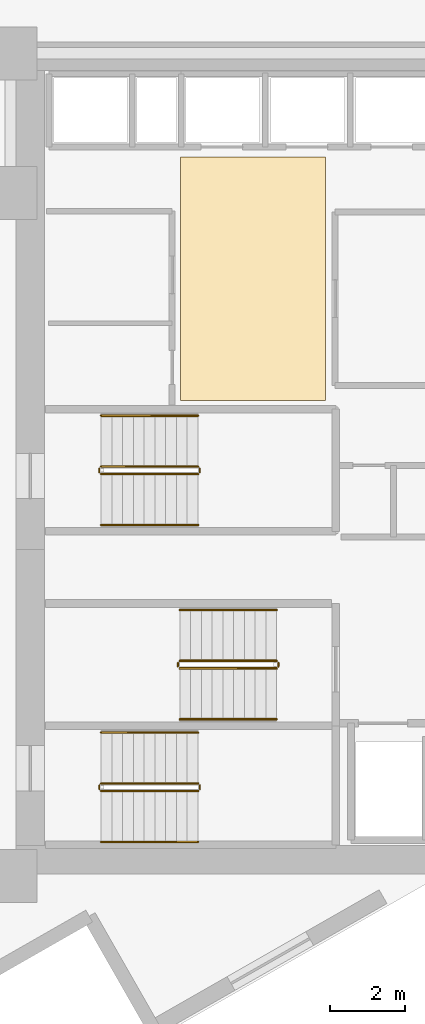
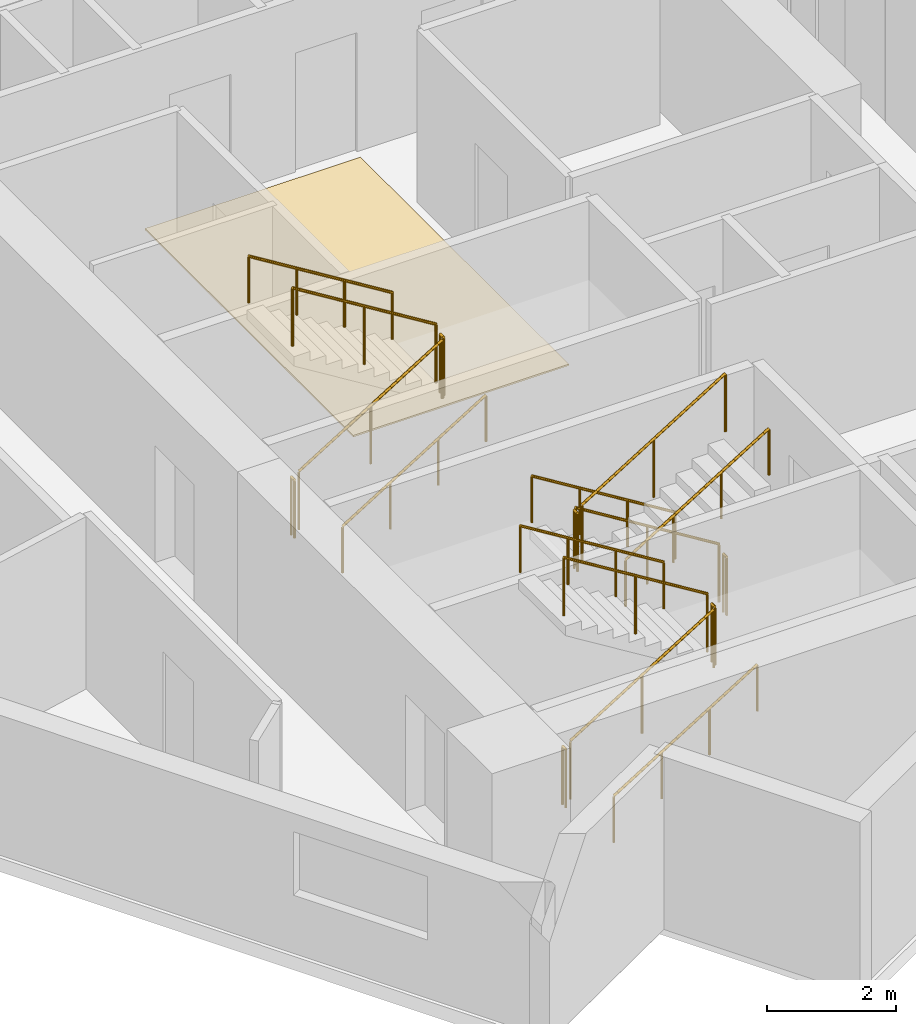
# One storey, part 13 of 14: 18 railings, 1 covering.
"""IFC4 building model written with IfcOpenShell, lengths in metres."""

from ifc_helpers import new_model, si_unit, direction, frame, origin, origin_2d, place, context, subcontext, project, spatial, polyline, circle, outline, extrude, material, layer, layer_set, type_object, element, save


model = new_model("IFC4")

# Units and contexts
model_context = context("Model", 3, precision=1e-05, world=origin(), true_north=direction((0.0, 1.0)))
body_context = subcontext(model_context, "Body", "Model", "MODEL_VIEW")
ifc_project = project(units=[si_unit("LENGTHUNIT", "METRE"), si_unit("AREAUNIT", "SQUARE_METRE"), si_unit("VOLUMEUNIT", "CUBIC_METRE"), si_unit("PLANEANGLEUNIT", "RADIAN"), si_unit("MASSUNIT", "GRAM", prefix="KILO")], contexts=[model_context])

# Site, building, storey
site_placement = place(None, origin())
site = spatial("IfcSite", under=ifc_project, at=site_placement, CompositionType="ELEMENT")
building_placement = place(site_placement, origin())
building = spatial("IfcBuilding", under=site, at=building_placement, Name="Narakoshi Arena Tower", CompositionType="ELEMENT")
storey_placement = place(building_placement, frame((0.0, 0.0, 214.97998046875)))
storey = spatial("IfcBuildingStorey", under=building, at=storey_placement, Name="L58", CompositionType="ELEMENT", Elevation=214.97998046875)

# Covering
ifc_material_1 = material(Name="Honed granite stone paving", Category="masonry")
ifc_layer = layer(ifc_material_1, 0.030029296875)
ifc_layer_set = layer_set([ifc_layer], Name="Honed granite stone paving")
covering_type = type_object("IfcCoveringType", Name="COV-FLR-ST30", PredefinedType="FLOORING", material=ifc_layer_set)
covering_placement = place(storey_placement, origin())
element("IfcCovering", 1, at=covering_placement, inside=storey, type_object=covering_type, Name="L58 Lift Lobby Granite Flooring", PredefinedType="FLOORING", context=body_context, shape_type="SweptSolid", body=[
    extrude(outline(polyline([(76.5, 47.300048828125), (80.35009765625, 47.300048828125), (80.35009765625, 53.75), (76.5, 53.75), (76.5, 47.300048828125)])), origin(), (0.0, 0.0, 1.0), 0.030029296875),
])

# Railings
ifc_material_2 = material(Name="Clear low-iron laminated structural glass", Category="glass")
railing_type_1 = type_object("IfcRailingType", Name="RL-BAL-1100", PredefinedType="BALUSTRADE", material=ifc_material_2)
railing_1_placement = place(storey_placement, frame((74.39990234375, 36.949951171875, 0.176025390625)))
element("IfcRailing", 2, at=railing_1_placement, inside=storey, type_object=railing_type_1, Name="L58 ST1 stair guard 1", PredefinedType="BALUSTRADE", context=body_context, shape_type="SweptSolid", body=[
    extrude(circle(Radius=0.02392578125, at=origin_2d()), frame((0.0, 0.0, 1.09619140625), z_axis=(0.850856559306, 0.0, 0.525398054323), x_axis=(0.0, 1.0, 0.0)), (0.0, 0.0, 1.0), 3.014892578125),
    extrude(circle(Radius=0.02099609375, at=origin_2d()), origin(), (0.0, 0.0, 1.0), 1.072021484375),
    extrude(circle(Radius=0.02099609375, at=origin_2d()), frame((1.28271484375, 0.0, 0.7919921875)), (0.0, 0.0, 1.0), 1.072021484375),
    extrude(circle(Radius=0.02099609375, at=origin_2d()), frame((2.565185546875, 0.0, 1.583984375)), (0.0, 0.0, 1.0), 1.072021484375),
])
railing_2_placement = place(storey_placement, frame((77.014892578125, 37.0, 1.760009765625)))
element("IfcRailing", 3, at=railing_2_placement, inside=storey, type_object=railing_type_1, Name="L58 ST1 stair guard 2", PredefinedType="BALUSTRADE", context=body_context, shape_type="SweptSolid", body=[
    extrude(circle(Radius=0.02392578125, at=origin_2d()), frame((0.0, 0.0, 1.09619140625), z_axis=(0.0, 1.0, 0.0), x_axis=(-1.0, 0.0, 0.0)), (0.0, 0.0, 1.0), 0.10009765625),
    extrude(circle(Radius=0.02099609375, at=origin_2d()), origin(), (0.0, 0.0, 1.0), 1.072021484375),
    extrude(circle(Radius=0.02099609375, at=origin_2d()), frame((0.0, 0.10009765625, 0.0)), (0.0, 0.0, 1.0), 1.072021484375),
])
railing_3_placement = place(storey_placement, frame((76.965087890625, 37.14990234375, 1.93603515625)))
element("IfcRailing", 4, at=railing_3_placement, inside=storey, type_object=railing_type_1, Name="L58 ST1 stair guard 3", PredefinedType="BALUSTRADE", context=body_context, shape_type="SweptSolid", body=[
    extrude(circle(Radius=0.02392578125, at=origin_2d()), frame((0.0, 0.0, 1.09619140625), z_axis=(-0.850856559306, 0.0, 0.525398054323), x_axis=(0.0, -1.0, 0.0)), (0.0, 0.0, 1.0), 3.014892578125),
    extrude(circle(Radius=0.02099609375, at=origin_2d()), origin(), (0.0, 0.0, 1.0), 1.072021484375),
    extrude(circle(Radius=0.02099609375, at=origin_2d()), frame((-1.28271484375, 0.0, 0.7919921875)), (0.0, 0.0, 1.0), 1.072021484375),
    extrude(circle(Radius=0.02099609375, at=origin_2d()), frame((-2.565185546875, 0.0, 1.583984375)), (0.0, 0.0, 1.0), 1.072021484375),
])
railing_4_placement = place(storey_placement, frame((74.35009765625, 37.0, 0.0)))
element("IfcRailing", 5, at=railing_4_placement, inside=storey, type_object=railing_type_1, Name="L58 ST1 stair guard 4", PredefinedType="BALUSTRADE", context=body_context, shape_type="SweptSolid", body=[
    extrude(circle(Radius=0.02392578125, at=origin_2d()), frame((0.0, 0.0, 1.09619140625), z_axis=(0.0, 1.0, 0.0), x_axis=(-1.0, 0.0, 0.0)), (0.0, 0.0, 1.0), 0.10009765625),
    extrude(circle(Radius=0.02099609375, at=origin_2d()), origin(), (0.0, 0.0, 1.0), 1.072021484375),
    extrude(circle(Radius=0.02099609375, at=origin_2d()), frame((0.0, 0.10009765625, 0.0)), (0.0, 0.0, 1.0), 1.072021484375),
])
railing_5_placement = place(storey_placement, frame((79.050048828125, 40.39990234375, 0.176025390625)))
element("IfcRailing", 6, at=railing_5_placement, inside=storey, type_object=railing_type_1, Name="L58 ST2 stair guard 1", PredefinedType="BALUSTRADE", context=body_context, shape_type="SweptSolid", body=[
    extrude(circle(Radius=0.02392578125, at=origin_2d()), frame((0.0, 0.0, 1.09619140625), z_axis=(-0.850834203031, 0.0, 0.525434257497), x_axis=(0.0, -1.0, 0.0)), (0.0, 0.0, 1.0), 3.0146484375),
    extrude(circle(Radius=0.02099609375, at=origin_2d()), origin(), (0.0, 0.0, 1.0), 1.072021484375),
    extrude(circle(Radius=0.02099609375, at=origin_2d()), frame((-1.282470703125, 0.0, 0.7919921875)), (0.0, 0.0, 1.0), 1.072021484375),
    extrude(circle(Radius=0.02099609375, at=origin_2d()), frame((-2.56494140625, 0.0, 1.583984375)), (0.0, 0.0, 1.0), 1.072021484375),
])
railing_6_placement = place(storey_placement, frame((76.43505859375, 40.35009765625, 1.760009765625)))
element("IfcRailing", 7, at=railing_6_placement, inside=storey, type_object=railing_type_1, Name="L58 ST2 stair guard 2", PredefinedType="BALUSTRADE", context=body_context, shape_type="SweptSolid", body=[
    extrude(circle(Radius=0.02392578125, at=origin_2d()), frame((0.0, 0.0, 1.09619140625), z_axis=(0.0, -1.0, 0.0), x_axis=(1.0, 0.0, 0.0)), (0.0, 0.0, 1.0), 0.10009765625),
    extrude(circle(Radius=0.02099609375, at=origin_2d()), origin(), (0.0, 0.0, 1.0), 1.072021484375),
    extrude(circle(Radius=0.02099609375, at=origin_2d()), frame((0.0, -0.10009765625, 0.0)), (0.0, 0.0, 1.0), 1.072021484375),
])
railing_7_placement = place(storey_placement, frame((76.485107421875, 40.199951171875, 1.93603515625)))
element("IfcRailing", 8, at=railing_7_placement, inside=storey, type_object=railing_type_1, Name="L58 ST2 stair guard 3", PredefinedType="BALUSTRADE", context=body_context, shape_type="SweptSolid", body=[
    extrude(circle(Radius=0.02392578125, at=origin_2d()), frame((0.0, 0.0, 1.09619140625), z_axis=(0.850834203031, 0.0, 0.525434257497), x_axis=(0.0, 1.0, 0.0)), (0.0, 0.0, 1.0), 3.0146484375),
    extrude(circle(Radius=0.02099609375, at=origin_2d()), origin(), (0.0, 0.0, 1.0), 1.072021484375),
    extrude(circle(Radius=0.02099609375, at=origin_2d()), frame((1.282470703125, 0.0, 0.7919921875)), (0.0, 0.0, 1.0), 1.072021484375),
    extrude(circle(Radius=0.02099609375, at=origin_2d()), frame((2.56494140625, 0.0, 1.583984375)), (0.0, 0.0, 1.0), 1.072021484375),
])
railing_8_placement = place(storey_placement, frame((79.10009765625, 40.35009765625, 0.0)))
element("IfcRailing", 9, at=railing_8_placement, inside=storey, type_object=railing_type_1, Name="L58 ST2 stair guard 4", PredefinedType="BALUSTRADE", context=body_context, shape_type="SweptSolid", body=[
    extrude(circle(Radius=0.02392578125, at=origin_2d()), frame((0.0, 0.0, 1.09619140625), z_axis=(0.0, -1.0, 0.0), x_axis=(1.0, 0.0, 0.0)), (0.0, 0.0, 1.0), 0.10009765625),
    extrude(circle(Radius=0.02099609375, at=origin_2d()), origin(), (0.0, 0.0, 1.0), 1.072021484375),
    extrude(circle(Radius=0.02099609375, at=origin_2d()), frame((0.0, -0.10009765625, 0.0)), (0.0, 0.0, 1.0), 1.072021484375),
])
railing_9_placement = place(storey_placement, frame((74.39990234375, 45.35009765625, 0.176025390625)))
element("IfcRailing", 10, at=railing_9_placement, inside=storey, type_object=railing_type_1, Name="L58 ST3 stair guard 1", PredefinedType="BALUSTRADE", context=body_context, shape_type="SweptSolid", body=[
    extrude(circle(Radius=0.02392578125, at=origin_2d()), frame((0.0, 0.0, 1.09619140625), z_axis=(0.850856559306, 0.0, 0.525398054323), x_axis=(0.0, 1.0, 0.0)), (0.0, 0.0, 1.0), 3.014892578125),
    extrude(circle(Radius=0.02099609375, at=origin_2d()), origin(), (0.0, 0.0, 1.0), 1.072021484375),
    extrude(circle(Radius=0.02099609375, at=origin_2d()), frame((1.28271484375, 0.0, 0.7919921875)), (0.0, 0.0, 1.0), 1.072021484375),
    extrude(circle(Radius=0.02099609375, at=origin_2d()), frame((2.565185546875, 0.0, 1.583984375)), (0.0, 0.0, 1.0), 1.072021484375),
])
railing_10_placement = place(storey_placement, frame((77.014892578125, 45.39990234375, 1.760009765625)))
element("IfcRailing", 11, at=railing_10_placement, inside=storey, type_object=railing_type_1, Name="L58 ST3 stair guard 2", PredefinedType="BALUSTRADE", context=body_context, shape_type="SweptSolid", body=[
    extrude(circle(Radius=0.02392578125, at=origin_2d()), frame((0.0, 0.0, 1.09619140625), z_axis=(0.0, 1.0, 0.0), x_axis=(-1.0, 0.0, 0.0)), (0.0, 0.0, 1.0), 0.10009765625),
    extrude(circle(Radius=0.02099609375, at=origin_2d()), origin(), (0.0, 0.0, 1.0), 1.072021484375),
    extrude(circle(Radius=0.02099609375, at=origin_2d()), frame((0.0, 0.10009765625, 0.0)), (0.0, 0.0, 1.0), 1.072021484375),
])
railing_11_placement = place(storey_placement, frame((76.965087890625, 45.550048828125, 1.93603515625)))
element("IfcRailing", 12, at=railing_11_placement, inside=storey, type_object=railing_type_1, Name="L58 ST3 stair guard 3", PredefinedType="BALUSTRADE", context=body_context, shape_type="SweptSolid", body=[
    extrude(circle(Radius=0.02392578125, at=origin_2d()), frame((0.0, 0.0, 1.09619140625), z_axis=(-0.850856559306, 0.0, 0.525398054323), x_axis=(0.0, -1.0, 0.0)), (0.0, 0.0, 1.0), 3.014892578125),
    extrude(circle(Radius=0.02099609375, at=origin_2d()), origin(), (0.0, 0.0, 1.0), 1.072021484375),
    extrude(circle(Radius=0.02099609375, at=origin_2d()), frame((-1.28271484375, 0.0, 0.7919921875)), (0.0, 0.0, 1.0), 1.072021484375),
    extrude(circle(Radius=0.02099609375, at=origin_2d()), frame((-2.565185546875, 0.0, 1.583984375)), (0.0, 0.0, 1.0), 1.072021484375),
])
railing_12_placement = place(storey_placement, frame((74.35009765625, 45.39990234375, 0.0)))
element("IfcRailing", 13, at=railing_12_placement, inside=storey, type_object=railing_type_1, Name="L58 ST3 stair guard 4", PredefinedType="BALUSTRADE", context=body_context, shape_type="SweptSolid", body=[
    extrude(circle(Radius=0.02392578125, at=origin_2d()), frame((0.0, 0.0, 1.09619140625), z_axis=(0.0, 1.0, 0.0), x_axis=(-1.0, 0.0, 0.0)), (0.0, 0.0, 1.0), 0.10009765625),
    extrude(circle(Radius=0.02099609375, at=origin_2d()), origin(), (0.0, 0.0, 1.0), 1.072021484375),
    extrude(circle(Radius=0.02099609375, at=origin_2d()), frame((0.0, 0.10009765625, 0.0)), (0.0, 0.0, 1.0), 1.072021484375),
])
ifc_material_3 = material(Name="Brushed bronze stainless steel", Category="steel")
railing_type_2 = type_object("IfcRailingType", Name="RL-HND-900", PredefinedType="HANDRAIL", material=ifc_material_3)
railing_13_placement = place(storey_placement, frame((74.39990234375, 35.60009765625, 0.176025390625)))
element("IfcRailing", 14, at=railing_13_placement, inside=storey, type_object=railing_type_2, Name="L58 ST1 stair handrail 1", PredefinedType="HANDRAIL", context=body_context, shape_type="SweptSolid", body=[
    extrude(circle(Radius=0.02392578125, at=origin_2d()), frame((0.0, 0.0, 0.8759765625), z_axis=(0.850856559306, 0.0, 0.525398054323), x_axis=(0.0, 1.0, 0.0)), (0.0, 0.0, 1.0), 3.014892578125),
    extrude(circle(Radius=0.02099609375, at=origin_2d()), origin(), (0.0, 0.0, 1.0), 0.851806640625),
    extrude(circle(Radius=0.02099609375, at=origin_2d()), frame((0.85498046875, 0.0, 0.528076171875)), (0.0, 0.0, 1.0), 0.851806640625),
    extrude(circle(Radius=0.02099609375, at=origin_2d()), frame((1.710205078125, 0.0, 1.055908203125)), (0.0, 0.0, 1.0), 0.851806640625),
    extrude(circle(Radius=0.02099609375, at=origin_2d()), frame((2.565185546875, 0.0, 1.583984375)), (0.0, 0.0, 1.0), 0.851806640625),
])
railing_14_placement = place(storey_placement, frame((76.965087890625, 38.5, 1.93603515625)))
element("IfcRailing", 15, at=railing_14_placement, inside=storey, type_object=railing_type_2, Name="L58 ST1 stair handrail 2", PredefinedType="HANDRAIL", context=body_context, shape_type="SweptSolid", body=[
    extrude(circle(Radius=0.02392578125, at=origin_2d()), frame((0.0, 0.0, 0.8759765625), z_axis=(-0.850856559306, 0.0, 0.525398054323), x_axis=(0.0, -1.0, 0.0)), (0.0, 0.0, 1.0), 3.014892578125),
    extrude(circle(Radius=0.02099609375, at=origin_2d()), origin(), (0.0, 0.0, 1.0), 0.851806640625),
    extrude(circle(Radius=0.02099609375, at=origin_2d()), frame((-0.85498046875, 0.0, 0.528076171875)), (0.0, 0.0, 1.0), 0.851806640625),
    extrude(circle(Radius=0.02099609375, at=origin_2d()), frame((-1.710205078125, 0.0, 1.055908203125)), (0.0, 0.0, 1.0), 0.851806640625),
    extrude(circle(Radius=0.02099609375, at=origin_2d()), frame((-2.565185546875, 0.0, 1.583984375)), (0.0, 0.0, 1.0), 0.851806640625),
])
railing_15_placement = place(storey_placement, frame((79.050048828125, 41.75, 0.176025390625)))
element("IfcRailing", 16, at=railing_15_placement, inside=storey, type_object=railing_type_2, Name="L58 ST2 stair handrail 1", PredefinedType="HANDRAIL", context=body_context, shape_type="SweptSolid", body=[
    extrude(circle(Radius=0.02392578125, at=origin_2d()), frame((0.0, 0.0, 0.8759765625), z_axis=(-0.850834203031, 0.0, 0.525434257497), x_axis=(0.0, -1.0, 0.0)), (0.0, 0.0, 1.0), 3.0146484375),
    extrude(circle(Radius=0.02099609375, at=origin_2d()), origin(), (0.0, 0.0, 1.0), 0.851806640625),
    extrude(circle(Radius=0.02099609375, at=origin_2d()), frame((-0.85498046875, 0.0, 0.528076171875)), (0.0, 0.0, 1.0), 0.851806640625),
    extrude(circle(Radius=0.02099609375, at=origin_2d()), frame((-1.7099609375, 0.0, 1.055908203125)), (0.0, 0.0, 1.0), 0.851806640625),
    extrude(circle(Radius=0.02099609375, at=origin_2d()), frame((-2.56494140625, 0.0, 1.583984375)), (0.0, 0.0, 1.0), 0.851806640625),
])
railing_16_placement = place(storey_placement, frame((76.485107421875, 38.85009765625, 1.93603515625)))
element("IfcRailing", 17, at=railing_16_placement, inside=storey, type_object=railing_type_2, Name="L58 ST2 stair handrail 2", PredefinedType="HANDRAIL", context=body_context, shape_type="SweptSolid", body=[
    extrude(circle(Radius=0.02392578125, at=origin_2d()), frame((0.0, 0.0, 0.8759765625), z_axis=(0.850834203031, 0.0, 0.525434257497), x_axis=(0.0, 1.0, 0.0)), (0.0, 0.0, 1.0), 3.0146484375),
    extrude(circle(Radius=0.02099609375, at=origin_2d()), origin(), (0.0, 0.0, 1.0), 0.851806640625),
    extrude(circle(Radius=0.02099609375, at=origin_2d()), frame((0.85498046875, 0.0, 0.528076171875)), (0.0, 0.0, 1.0), 0.851806640625),
    extrude(circle(Radius=0.02099609375, at=origin_2d()), frame((1.7099609375, 0.0, 1.055908203125)), (0.0, 0.0, 1.0), 0.851806640625),
    extrude(circle(Radius=0.02099609375, at=origin_2d()), frame((2.56494140625, 0.0, 1.583984375)), (0.0, 0.0, 1.0), 0.851806640625),
])
railing_17_placement = place(storey_placement, frame((74.39990234375, 44.0, 0.176025390625)))
element("IfcRailing", 18, at=railing_17_placement, inside=storey, type_object=railing_type_2, Name="L58 ST3 stair handrail 1", PredefinedType="HANDRAIL", context=body_context, shape_type="SweptSolid", body=[
    extrude(circle(Radius=0.02392578125, at=origin_2d()), frame((0.0, 0.0, 0.8759765625), z_axis=(0.850856559306, 0.0, 0.525398054323), x_axis=(0.0, 1.0, 0.0)), (0.0, 0.0, 1.0), 3.014892578125),
    extrude(circle(Radius=0.02099609375, at=origin_2d()), origin(), (0.0, 0.0, 1.0), 0.851806640625),
    extrude(circle(Radius=0.02099609375, at=origin_2d()), frame((0.85498046875, 0.0, 0.528076171875)), (0.0, 0.0, 1.0), 0.851806640625),
    extrude(circle(Radius=0.02099609375, at=origin_2d()), frame((1.710205078125, 0.0, 1.055908203125)), (0.0, 0.0, 1.0), 0.851806640625),
    extrude(circle(Radius=0.02099609375, at=origin_2d()), frame((2.565185546875, 0.0, 1.583984375)), (0.0, 0.0, 1.0), 0.851806640625),
])
railing_18_placement = place(storey_placement, frame((76.965087890625, 46.89990234375, 1.93603515625)))
element("IfcRailing", 19, at=railing_18_placement, inside=storey, type_object=railing_type_2, Name="L58 ST3 stair handrail 2", PredefinedType="HANDRAIL", context=body_context, shape_type="SweptSolid", body=[
    extrude(circle(Radius=0.02392578125, at=origin_2d()), frame((0.0, 0.0, 0.8759765625), z_axis=(-0.850856559306, 0.0, 0.525398054323), x_axis=(0.0, -1.0, 0.0)), (0.0, 0.0, 1.0), 3.014892578125),
    extrude(circle(Radius=0.02099609375, at=origin_2d()), origin(), (0.0, 0.0, 1.0), 0.851806640625),
    extrude(circle(Radius=0.02099609375, at=origin_2d()), frame((-0.85498046875, 0.0, 0.528076171875)), (0.0, 0.0, 1.0), 0.851806640625),
    extrude(circle(Radius=0.02099609375, at=origin_2d()), frame((-1.710205078125, 0.0, 1.055908203125)), (0.0, 0.0, 1.0), 0.851806640625),
    extrude(circle(Radius=0.02099609375, at=origin_2d()), frame((-2.565185546875, 0.0, 1.583984375)), (0.0, 0.0, 1.0), 0.851806640625),
])

save(model, "model.ifc")
